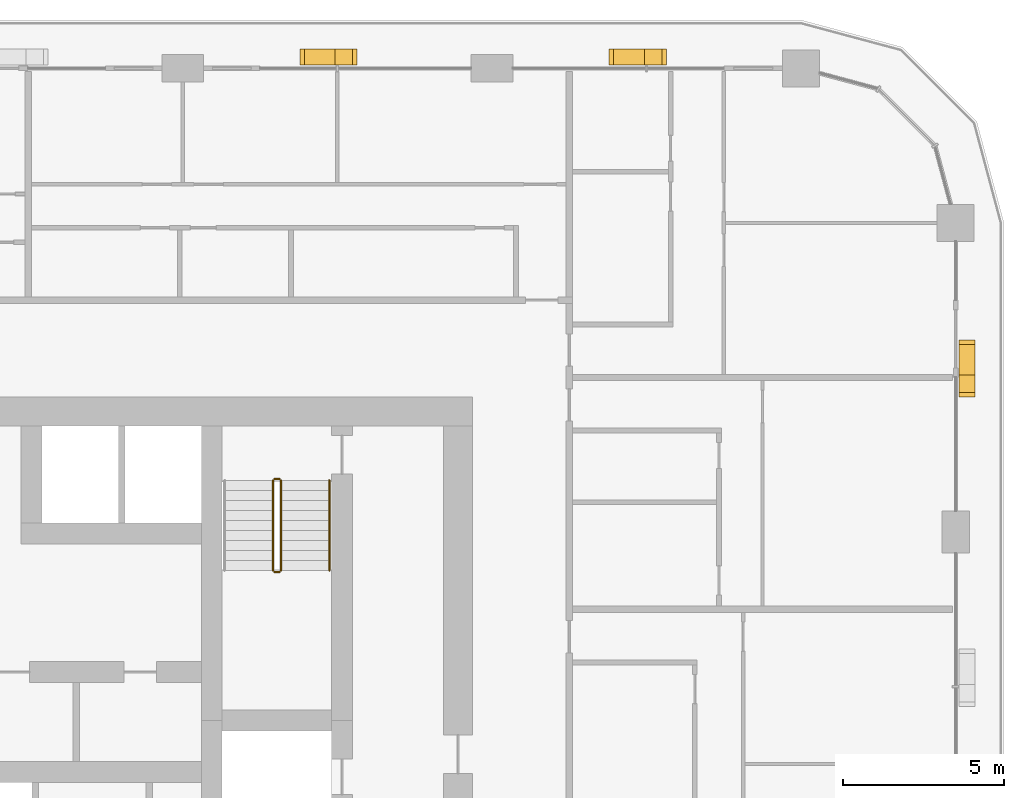
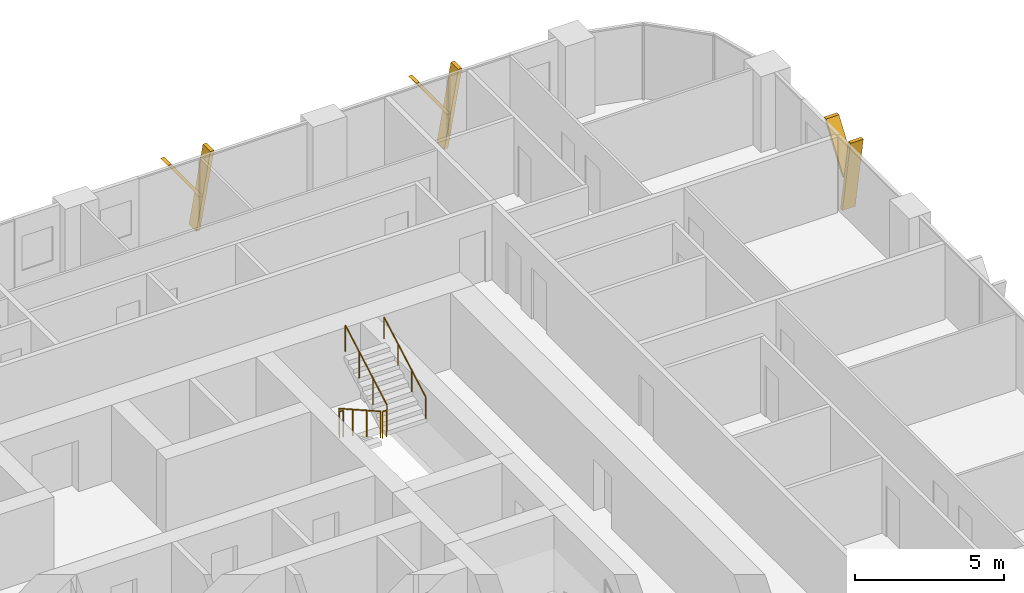
# One storey, part 21 of 21: 6 shading devices, 5 railings.
"""IFC4 building model written with IfcOpenShell, lengths in metres."""

from ifc_helpers import new_model, si_unit, direction, frame, origin, origin_2d, place, context, subcontext, project, spatial, polyline, circle, outline, extrude, material, type_object, element, save


model = new_model("IFC4")

# Units and contexts
model_context = context("Model", 3, precision=1e-05, world=origin(), true_north=direction((0.0, 1.0)))
body_context = subcontext(model_context, "Body", "Model", "MODEL_VIEW")
ifc_project = project(units=[si_unit("LENGTHUNIT", "METRE"), si_unit("AREAUNIT", "SQUARE_METRE"), si_unit("VOLUMEUNIT", "CUBIC_METRE"), si_unit("PLANEANGLEUNIT", "RADIAN"), si_unit("MASSUNIT", "GRAM", prefix="KILO")], contexts=[model_context])

# Site, building, storey
site_placement = place(None, origin())
site = spatial("IfcSite", under=ifc_project, at=site_placement, CompositionType="ELEMENT")
building_placement = place(site_placement, origin())
building = spatial("IfcBuilding", under=site, at=building_placement, Name="Madar Terraces", CompositionType="ELEMENT")
storey_placement = place(building_placement, frame((0.0, 0.0, 80.300048828125)))
storey = spatial("IfcBuildingStorey", under=building, at=storey_placement, Name="L20", CompositionType="ELEMENT", Elevation=80.300048828125)

# Shading devices
ifc_material_1 = material(Name="Aluminium, black anodised", Category="aluminium")
shading_device_type = type_object("IfcShadingDeviceType", Name="Facade fin blade 140 x 500", PredefinedType="USERDEFINED", material=ifc_material_1)
shading_device_1_placement = place(storey_placement, frame((62.75, 38.330078125, 0.0), z_axis=(0.0, 0.0, 1.0), x_axis=(0.0, 1.0, 0.0)))
element("IfcShadingDevice", 1, at=shading_device_1_placement, inside=storey, type_object=shading_device_type, Name="FIN L20 E4", ObjectType="FIN", PredefinedType="USERDEFINED", context=body_context, shape_type="SweptSolid", body=[
    extrude(outline(polyline([(0.0, 0.0), (0.139892578125, 0.0), (-0.403076171875, 3.079833984375), (-0.54296875, 3.079833984375), (0.0, 0.0)])), frame((0.0, 0.25, 0.0), z_axis=(0.0, -1.0, 0.0), x_axis=(1.0, 0.0, 0.0)), (0.0, 0.0, 1.0), 0.5),
])
shading_device_2_placement = place(storey_placement, frame((62.75, 38.2255859375, 1.385986328125), z_axis=(0.0, 0.0, 1.0), x_axis=(0.0, 1.0, 0.0)))
element("IfcShadingDevice", 2, at=shading_device_2_placement, inside=storey, type_object=shading_device_type, Name="FIN L20 E4 branch", ObjectType="FIN", PredefinedType="USERDEFINED", context=body_context, shape_type="SweptSolid", body=[
    extrude(outline(polyline([(0.0, 0.0), (0.14013671875, 0.0), (1.34130859375, 1.69384765625), (1.201416015625, 1.69384765625), (0.0, 0.0)])), frame((0.0, 0.25, 0.0), z_axis=(0.0, -1.0, 0.0), x_axis=(1.0, 0.0, 0.0)), (0.0, 0.0, 1.0), 0.5),
])
shading_device_3_placement = place(storey_placement, frame((52.8701171875, 48.35009765625, 0.0), z_axis=(0.0, 0.0, 1.0), x_axis=(-1.0, 0.0, 0.0)))
element("IfcShadingDevice", 3, at=shading_device_3_placement, inside=storey, type_object=shading_device_type, Name="FIN L20 N1", ObjectType="FIN", PredefinedType="USERDEFINED", context=body_context, shape_type="SweptSolid", body=[
    extrude(outline(polyline([(0.0, 0.0), (0.14013671875, 0.0), (-0.403076171875, 3.079833984375), (-0.54296875, 3.079833984375), (0.0, 0.0)])), frame((0.0, 0.25, 0.0), z_axis=(0.0, -1.0, 0.0), x_axis=(1.0, 0.0, 0.0)), (0.0, 0.0, 1.0), 0.5),
])
shading_device_4_placement = place(storey_placement, frame((52.974365234375, 48.35009765625, 1.385986328125), z_axis=(0.0, 0.0, 1.0), x_axis=(-1.0, 0.0, 0.0)))
element("IfcShadingDevice", 4, at=shading_device_4_placement, inside=storey, type_object=shading_device_type, Name="FIN L20 N1 branch", ObjectType="FIN", PredefinedType="USERDEFINED", context=body_context, shape_type="SweptSolid", body=[
    extrude(outline(polyline([(0.0, 0.0), (0.139892578125, 0.0), (1.34130859375, 1.69384765625), (1.201416015625, 1.69384765625), (0.0, 0.0)])), frame((0.0, 0.25, 0.0), z_axis=(0.0, -1.0, 0.0), x_axis=(1.0, 0.0, 0.0)), (0.0, 0.0, 1.0), 0.5),
])
shading_device_5_placement = place(storey_placement, frame((43.27001953125, 48.35009765625, 0.0), z_axis=(0.0, 0.0, 1.0), x_axis=(-1.0, 0.0, 0.0)))
element("IfcShadingDevice", 5, at=shading_device_5_placement, inside=storey, type_object=shading_device_type, Name="FIN L20 N2", ObjectType="FIN", PredefinedType="USERDEFINED", context=body_context, shape_type="SweptSolid", body=[
    extrude(outline(polyline([(0.0, 0.0), (0.14013671875, 0.0), (-0.403076171875, 3.079833984375), (-0.54296875, 3.079833984375), (0.0, 0.0)])), frame((0.0, 0.25, 0.0), z_axis=(0.0, -1.0, 0.0), x_axis=(1.0, 0.0, 0.0)), (0.0, 0.0, 1.0), 0.5),
])
shading_device_6_placement = place(storey_placement, frame((43.374267578125, 48.35009765625, 1.385986328125), z_axis=(0.0, 0.0, 1.0), x_axis=(-1.0, 0.0, 0.0)))
element("IfcShadingDevice", 6, at=shading_device_6_placement, inside=storey, type_object=shading_device_type, Name="FIN L20 N2 branch", ObjectType="FIN", PredefinedType="USERDEFINED", context=body_context, shape_type="SweptSolid", body=[
    extrude(outline(polyline([(0.0, 0.0), (0.139892578125, 0.0), (1.34130859375, 1.69384765625), (1.201416015625, 1.69384765625), (0.0, 0.0)])), frame((0.0, 0.25, 0.0), z_axis=(0.0, -1.0, 0.0), x_axis=(1.0, 0.0, 0.0)), (0.0, 0.0, 1.0), 0.5),
])

# Railings
ifc_material_2 = material(Name="Stainless steel railing", Category="steel")
railing_type_1 = type_object("IfcRailingType", Name="Stair guard 1100", PredefinedType="GUARDRAIL", material=ifc_material_2)
railing_1_placement = place(storey_placement, frame((41.199951171875, 35.199951171875, 0.175048828125)))
element("IfcRailing", 7, at=railing_1_placement, inside=storey, type_object=railing_type_1, Name="L20 ST2 stair guard 1", PredefinedType="GUARDRAIL", context=body_context, shape_type="SweptSolid", body=[
    extrude(circle(Radius=0.02392578125, at=origin_2d()), frame((0.0, 0.0, 1.076171875), z_axis=(0.0, -0.870833779661, 0.491577591232), x_axis=(1.0, 0.0, 0.0)), (0.0, 0.0, 1.0), 3.203857421875),
    extrude(circle(Radius=0.02099609375, at=origin_2d()), origin(), (0.0, 0.0, 1.0), 1.052001953125),
    extrude(circle(Radius=0.02099609375, at=origin_2d()), frame((0.0, -0.929931640625, 0.52490234375)), (0.0, 0.0, 1.0), 1.052001953125),
    extrude(circle(Radius=0.02099609375, at=origin_2d()), frame((0.0, -1.860107421875, 1.050048828125)), (0.0, 0.0, 1.0), 1.052001953125),
    extrude(circle(Radius=0.02099609375, at=origin_2d()), frame((0.0, -2.7900390625, 1.574951171875)), (0.0, 0.0, 1.0), 1.052001953125),
])
railing_2_placement = place(storey_placement, frame((41.25, 32.360107421875, 1.75)))
element("IfcRailing", 8, at=railing_2_placement, inside=storey, type_object=railing_type_1, Name="L20 ST2 stair guard 2", PredefinedType="GUARDRAIL", context=body_context, shape_type="SweptSolid", body=[
    extrude(circle(Radius=0.02392578125, at=origin_2d()), frame((0.0, 0.0, 1.076171875), z_axis=(1.0, 0.0, 0.0), x_axis=(0.0, 1.0, 0.0)), (0.0, 0.0, 1.0), 0.14990234375),
    extrude(circle(Radius=0.02099609375, at=origin_2d()), origin(), (0.0, 0.0, 1.0), 1.052001953125),
    extrude(circle(Radius=0.02099609375, at=origin_2d()), frame((0.14990234375, 0.0, 0.0)), (0.0, 0.0, 1.0), 1.052001953125),
])
railing_3_placement = place(storey_placement, frame((41.449951171875, 32.409912109375, 1.925048828125)))
element("IfcRailing", 9, at=railing_3_placement, inside=storey, type_object=railing_type_1, Name="L20 ST2 stair guard 3", PredefinedType="GUARDRAIL", context=body_context, shape_type="SweptSolid", body=[
    extrude(circle(Radius=0.02392578125, at=origin_2d()), frame((0.0, 0.0, 1.076171875), z_axis=(0.0, 0.870833779661, 0.491577591232), x_axis=(-1.0, 0.0, 0.0)), (0.0, 0.0, 1.0), 3.203857421875),
    extrude(circle(Radius=0.02099609375, at=origin_2d()), origin(), (0.0, 0.0, 1.0), 1.052001953125),
    extrude(circle(Radius=0.02099609375, at=origin_2d()), frame((0.0, 0.929931640625, 0.52490234375)), (0.0, 0.0, 1.0), 1.052001953125),
    extrude(circle(Radius=0.02099609375, at=origin_2d()), frame((0.0, 1.860107421875, 1.050048828125)), (0.0, 0.0, 1.0), 1.052001953125),
    extrude(circle(Radius=0.02099609375, at=origin_2d()), frame((0.0, 2.7900390625, 1.574951171875)), (0.0, 0.0, 1.0), 1.052001953125),
])
railing_4_placement = place(storey_placement, frame((41.25, 35.25, 0.0)))
element("IfcRailing", 10, at=railing_4_placement, inside=storey, type_object=railing_type_1, Name="L20 ST2 stair guard 4", PredefinedType="GUARDRAIL", context=body_context, shape_type="SweptSolid", body=[
    extrude(circle(Radius=0.02392578125, at=origin_2d()), frame((0.0, 0.0, 1.076171875), z_axis=(1.0, 0.0, 0.0), x_axis=(0.0, 1.0, 0.0)), (0.0, 0.0, 1.0), 0.14990234375),
    extrude(circle(Radius=0.02099609375, at=origin_2d()), origin(), (0.0, 0.0, 1.0), 1.052001953125),
    extrude(circle(Radius=0.02099609375, at=origin_2d()), frame((0.14990234375, 0.0, 0.0)), (0.0, 0.0, 1.0), 1.052001953125),
])
ifc_material_3 = material(Name="Stainless steel railing", Category="steel")
railing_type_2 = type_object("IfcRailingType", Name="Stair handrail 900", PredefinedType="HANDRAIL", material=ifc_material_3)
railing_5_placement = place(storey_placement, frame((42.949951171875, 32.409912109375, 1.925048828125)))
element("IfcRailing", 11, at=railing_5_placement, inside=storey, type_object=railing_type_2, Name="L20 ST2 stair handrail 2", PredefinedType="HANDRAIL", context=body_context, shape_type="SweptSolid", body=[
    extrude(circle(Radius=0.02392578125, at=origin_2d()), frame((0.0, 0.0, 0.8759765625), z_axis=(0.0, 0.870833779661, 0.491577591232), x_axis=(-1.0, 0.0, 0.0)), (0.0, 0.0, 1.0), 3.203857421875),
    extrude(circle(Radius=0.02099609375, at=origin_2d()), origin(), (0.0, 0.0, 1.0), 0.851806640625),
    extrude(circle(Radius=0.02099609375, at=origin_2d()), frame((0.0, 0.929931640625, 0.52490234375)), (0.0, 0.0, 1.0), 0.851806640625),
    extrude(circle(Radius=0.02099609375, at=origin_2d()), frame((0.0, 1.860107421875, 1.050048828125)), (0.0, 0.0, 1.0), 0.851806640625),
    extrude(circle(Radius=0.02099609375, at=origin_2d()), frame((0.0, 2.7900390625, 1.574951171875)), (0.0, 0.0, 1.0), 0.851806640625),
])

save(model, "model.ifc")
